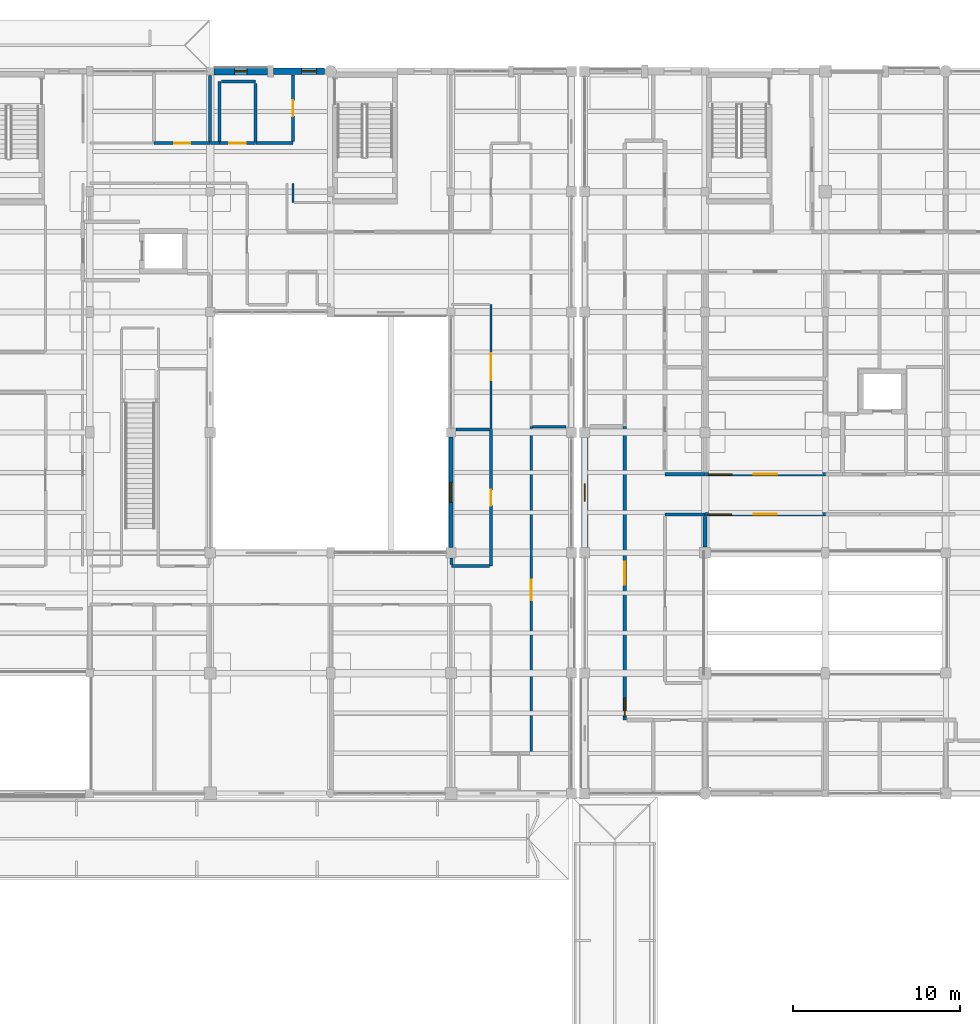
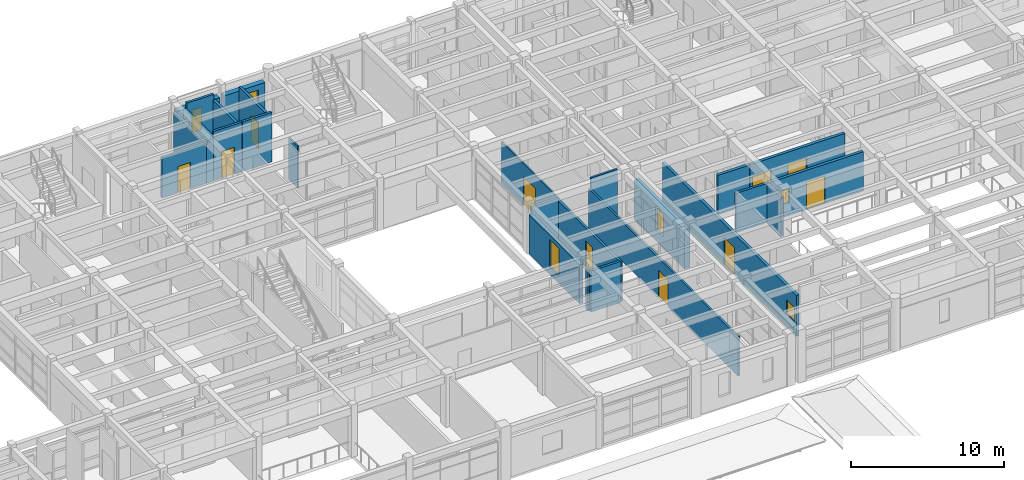
# One storey, part 89 of 110: 27 walls, 9 doors, 7 windows, 16 openings.
"""IFC4 building model written with IfcOpenShell, lengths in metres."""

from ifc_helpers import new_model, si_unit, direction, frame, frame_2d, origin, place, context, subcontext, project, spatial, rectangle, extrude, material, layer, layer_set, type_object, element, fill, save


model = new_model("IFC4")

# Units and contexts
model_context = context("Model", 3, precision=1e-05, world=origin(), true_north=direction((0.0, 1.0)))
body_context = subcontext(model_context, "Body", "Model", "MODEL_VIEW")
ifc_project = project(units=[si_unit("LENGTHUNIT", "METRE"), si_unit("AREAUNIT", "SQUARE_METRE"), si_unit("VOLUMEUNIT", "CUBIC_METRE"), si_unit("PLANEANGLEUNIT", "RADIAN"), si_unit("MASSUNIT", "GRAM", prefix="KILO")], contexts=[model_context])

# Site, building, storey
site_placement = place(None, origin())
site = spatial("IfcSite", under=ifc_project, at=site_placement, CompositionType="ELEMENT")
building_placement = place(site_placement, origin())
building = spatial("IfcBuilding", under=site, at=building_placement, Name="Steenspoor Specialist Clinic", CompositionType="ELEMENT")
storey_placement = place(building_placement, frame((0.0, 0.0, 4.800048828125)))
storey = spatial("IfcBuildingStorey", under=building, at=storey_placement, Name="L01", CompositionType="ELEMENT", Elevation=4.800048828125)

# Wall, opening, window
ifc_material_1 = material(Name="Extruded clay brick masonry", Category="masonry")
ifc_layer_1 = layer(ifc_material_1, 0.409912109375)
ifc_layer_set_1 = layer_set([ifc_layer_1], Name="Extruded clay brick masonry")
wall_type_1 = type_object("IfcWallType", Name="W-BRICK-410", PredefinedType="USERDEFINED", material=ifc_layer_set_1)
wall_1_placement = place(storey_placement, frame((99.3701171875, 108.35009765625, 0.0), z_axis=(0.0, 0.0, 1.0), x_axis=(1.0, 0.0, 0.0)))
wall_1 = element("IfcWall", 1, at=wall_1_placement, inside=storey, type_object=wall_type_1, Name="Exterior Brick Wall EW-V4-L01-0124", ObjectType="CAVITY VENEER", PredefinedType="USERDEFINED", context=body_context, shape_type="SweptSolid", body=[
    extrude(rectangle(XDim=3.079833984375, YDim=0.409912109375, at=frame_2d((1.5400390625, 0.0))), origin(), (0.0, 0.0, 1.0), 3.1298828125),
])
opening_1_placement = place(wall_1_placement, frame((1.68994140625, 0.0, 0.89990234375)))
opening_1 = element("IfcOpeningElement", 2, at=opening_1_placement, cuts=wall_1, Name="Opening WN-03", PredefinedType="OPENING", context=body_context, shape_type="SweptSolid", body=[
    extrude(rectangle(XDim=0.89990234375, YDim=1.800048828125, at=frame_2d((0.449951171875, 0.89990234375))), frame((0.0, 0.21484375, 0.0), z_axis=(0.0, -1.0, 0.0), x_axis=(1.0, 0.0, 0.0)), (0.0, 0.0, 1.0), 0.429931640625),
])
ifc_material_2 = material(Name="Thermally broken aluminium and low-emissivity glass", Category="aluminium")
window_type_1 = type_object("IfcWindowType", Name="WN-EXT-090X180", PartitioningType="SINGLE_PANEL", PredefinedType="WINDOW", material=ifc_material_2)
window_1_placement = place(opening_1_placement, origin())
window_1 = element("IfcWindow", 3, at=window_1_placement, inside=storey, type_object=window_type_1, Name="Window 0146", OverallHeight=1.800048828125, OverallWidth=0.89990234375, PartitioningType="SINGLE_PANEL", PredefinedType="WINDOW", context=body_context, shape_type="SweptSolid", body=[
    extrude(rectangle(XDim=0.89990234375, YDim=1.800048828125, at=frame_2d((0.449951171875, 0.89990234375))), frame((0.0, 0.030029296875, 0.0), z_axis=(0.0, -1.0, 0.0), x_axis=(1.0, 0.0, 0.0)), (0.0, 0.0, 1.0), 0.06005859375),
])
fill(opening_1, window_1)

wall_2_placement = place(storey_placement, frame((118.0, 79.85009765625, 0.0), z_axis=(0.0, 0.0, 1.0), x_axis=(0.0, 1.0, 0.0)))
wall_2 = element("IfcWall", 4, at=wall_2_placement, inside=storey, type_object=wall_type_1, Name="Exterior Brick Wall EW-V6-L01-0316", ObjectType="CAVITY VENEER", PredefinedType="USERDEFINED", context=body_context, shape_type="SweptSolid", body=[
    extrude(rectangle(XDim=6.599853515625, YDim=0.409912109375, at=frame_2d((3.2998046875, 0.0))), origin(), (0.0, 0.0, 1.0), 3.1298828125),
])
opening_2_placement = place(wall_2_placement, frame((2.77490234375, 0.0, 0.89990234375)))
opening_2 = element("IfcOpeningElement", 5, at=opening_2_placement, cuts=wall_2, Name="Opening WN-04", PredefinedType="OPENING", context=body_context, shape_type="SweptSolid", body=[
    extrude(rectangle(XDim=1.050048828125, YDim=1.800048828125, at=frame_2d((0.52490234375, 0.89990234375))), frame((0.0, 0.21484375, 0.0), z_axis=(0.0, -1.0, 0.0), x_axis=(1.0, 0.0, 0.0)), (0.0, 0.0, 1.0), 0.429931640625),
])
window_type_2 = type_object("IfcWindowType", Name="WN-EXT-105X180", PartitioningType="SINGLE_PANEL", PredefinedType="WINDOW", material=ifc_material_2)
window_2_placement = place(opening_2_placement, origin())
window_2 = element("IfcWindow", 6, at=window_2_placement, inside=storey, type_object=window_type_2, Name="Window 0339", OverallHeight=1.800048828125, OverallWidth=1.050048828125, PartitioningType="SINGLE_PANEL", PredefinedType="WINDOW", context=body_context, shape_type="SweptSolid", body=[
    extrude(rectangle(XDim=1.050048828125, YDim=1.800048828125, at=frame_2d((0.52490234375, 0.89990234375))), frame((0.0, 0.030029296875, 0.0), z_axis=(0.0, -1.0, 0.0), x_axis=(1.0, 0.0, 0.0)), (0.0, 0.0, 1.0), 0.06005859375),
])
fill(opening_2, window_2)

ifc_layer_2 = layer(ifc_material_1, 0.43994140625)
ifc_layer_set_2 = layer_set([ifc_layer_2], Name="Extruded clay brick masonry")
wall_type_2 = type_object("IfcWallType", Name="W-BRICK-440", PredefinedType="USERDEFINED", material=ifc_layer_set_2)
wall_3_placement = place(storey_placement, frame((95.824951171875, 108.35009765625, 0.0), z_axis=(0.0, 0.0, 1.0), x_axis=(1.0, 0.0, 0.0)))
wall_3 = element("IfcWall", 7, at=wall_3_placement, inside=storey, type_object=wall_type_2, Name="Exterior Brick Wall EW-V4-L01-0123", ObjectType="CAVITY VENEER", PredefinedType="USERDEFINED", context=body_context, shape_type="SweptSolid", body=[
    extrude(rectangle(XDim=3.205078125, YDim=0.43994140625, at=frame_2d((1.6025390625, 0.0))), origin(), (0.0, 0.0, 1.0), 3.1298828125),
])
opening_3_placement = place(wall_3_placement, frame((1.2275390625, 0.0, 0.89990234375)))
opening_3 = element("IfcOpeningElement", 8, at=opening_3_placement, cuts=wall_3, Name="Opening WN-02", PredefinedType="OPENING", context=body_context, shape_type="SweptSolid", body=[
    extrude(rectangle(XDim=0.75, YDim=1.800048828125, at=frame_2d((0.375, 0.89990234375))), frame((0.0, 0.22998046875, 0.0), z_axis=(0.0, -1.0, 0.0), x_axis=(1.0, 0.0, 0.0)), (0.0, 0.0, 1.0), 0.4599609375),
])
window_type_3 = type_object("IfcWindowType", Name="WN-EXT-075X180", PartitioningType="SINGLE_PANEL", PredefinedType="WINDOW", material=ifc_material_2)
window_3_placement = place(opening_3_placement, origin())
window_3 = element("IfcWindow", 9, at=window_3_placement, inside=storey, type_object=window_type_3, Name="Window 0145", OverallHeight=1.800048828125, OverallWidth=0.75, PartitioningType="SINGLE_PANEL", PredefinedType="WINDOW", context=body_context, shape_type="SweptSolid", body=[
    extrude(rectangle(XDim=0.75, YDim=1.800048828125, at=frame_2d((0.375, 0.89990234375))), frame((0.0, 0.030029296875, 0.0), z_axis=(0.0, -1.0, 0.0), x_axis=(1.0, 0.0, 0.0)), (0.0, 0.0, 1.0), 0.06005859375),
])
fill(opening_3, window_3)

# Wall, opening, door
ifc_material_3 = material(Name="Gypsum acoustic clinical partition", Category="gypsum")
ifc_layer_3 = layer(ifc_material_3, 0.14990234375)
ifc_layer_set_3 = layer_set([ifc_layer_3], Name="Gypsum acoustic clinical partition")
wall_type_3 = type_object("IfcWallType", Name="W-CLIN-150", PredefinedType="PARTITIONING", material=ifc_layer_set_3)
wall_4_placement = place(storey_placement, frame((114.800048828125, 67.550048828125, 0.0), z_axis=(0.0, 0.0, 1.0), x_axis=(0.0, 1.0, 0.0)))
wall_4 = element("IfcWall", 10, at=wall_4_placement, inside=storey, type_object=wall_type_3, Name="Interior Partition IW-V4-L01-0888", PredefinedType="PARTITIONING", context=body_context, shape_type="SweptSolid", body=[
    extrude(rectangle(XDim=19.550048828125, YDim=0.14990234375, at=frame_2d((9.77490234375, 0.0))), origin(), (0.0, 0.0, 1.0), 3.135009765625),
])
opening_4_placement = place(wall_4_placement, frame((9.14990234375, 0.0, 0.0)))
opening_4 = element("IfcOpeningElement", 11, at=opening_4_placement, cuts=wall_4, Name="Opening D0200", PredefinedType="OPENING", context=body_context, shape_type="SweptSolid", body=[
    extrude(rectangle(XDim=1.25, YDim=2.14990234375, at=frame_2d((0.625, 1.074951171875))), frame((0.0, 0.0849609375, 0.0), z_axis=(0.0, -1.0, 0.0), x_axis=(1.0, 0.0, 0.0)), (0.0, 0.0, 1.0), 0.169921875),
])
ifc_material_4 = material(Name="Hygienic HPL clinical timber door", Category="wood")
door_type_1 = type_object("IfcDoorType", Name="DT-EXAM-125X215", OperationType="NOTDEFINED", PredefinedType="DOOR", material=ifc_material_4)
door_1_placement = place(opening_4_placement, origin())
door_1 = element("IfcDoor", 12, at=door_1_placement, inside=storey, type_object=door_type_1, Name="Clinical Door D0200", OperationType="SINGLE_SWING_LEFT", OverallHeight=2.14990234375, OverallWidth=1.25, PredefinedType="DOOR", context=body_context, shape_type="SweptSolid", body=[
    extrude(rectangle(XDim=1.25, YDim=2.14990234375, at=frame_2d((0.625, 1.074951171875))), frame((0.0, 0.02490234375, 0.0), z_axis=(0.0, -1.0, 0.0), x_axis=(1.0, 0.0, 0.0)), (0.0, 0.0, 1.0), 0.050048828125),
])
fill(opening_4, door_1)

# Wall
wall_5_placement = place(storey_placement, frame((114.889892578125, 87.10009765625, 0.0), z_axis=(0.0, 0.0, 1.0), x_axis=(1.0, 0.0, 0.0)))
element("IfcWall", 13, at=wall_5_placement, inside=storey, type_object=wall_type_3, Name="Interior Partition IW-V4-L01-1193", PredefinedType="PARTITIONING", context=body_context, shape_type="SweptSolid", body=[
    extrude(rectangle(XDim=1.9951171875, YDim=0.14990234375, at=frame_2d((0.99755859375, 0.0))), origin(), (0.0, 0.0, 1.0), 3.949951171875),
])

# Wall, openings, door, window
ifc_material_5 = material(Name="Fire-rated clay blockwork masonry", Category="masonry")
ifc_layer_4 = layer(ifc_material_5, 0.219970703125)
ifc_layer_set_4 = layer_set([ifc_layer_4], Name="Fire-rated clay blockwork masonry")
wall_type_4 = type_object("IfcWallType", Name="W-FIRE-220", PredefinedType="PARTITIONING", material=ifc_layer_set_4)
wall_6_placement = place(storey_placement, frame((120.39990234375, 69.550048828125, 0.0), z_axis=(0.0, 0.0, 1.0), x_axis=(0.0, 1.0, 0.0)))
wall_6 = element("IfcWall", 14, at=wall_6_placement, inside=storey, type_object=wall_type_4, Name="Interior Partition IW-V6-L01-0698", PredefinedType="PARTITIONING", context=body_context, shape_type="SweptSolid", body=[
    extrude(rectangle(XDim=17.550048828125, YDim=0.219970703125, at=frame_2d((8.77490234375, 0.0))), origin(), (0.0, 0.0, 1.0), 3.284912109375),
])
opening_5_placement = place(wall_6_placement, frame((8.074951171875, 0.0, 0.0)))
opening_5 = element("IfcOpeningElement", 15, at=opening_5_placement, cuts=wall_6, Name="Opening D0427", PredefinedType="OPENING", context=body_context, shape_type="SweptSolid", body=[
    extrude(rectangle(XDim=1.39990234375, YDim=2.199951171875, at=frame_2d((0.699951171875, 1.10009765625))), frame((0.0, 0.1201171875, 0.0), z_axis=(0.0, -1.0, 0.0), x_axis=(1.0, 0.0, 0.0)), (0.0, 0.0, 1.0), 0.239990234375),
])
opening_6_placement = place(wall_6_placement, frame((0.199951171875, 0.0, 1.050048828125)))
opening_6 = element("IfcOpeningElement", 16, at=opening_6_placement, cuts=wall_6, Name="Opening IWN-02", PredefinedType="OPENING", context=body_context, shape_type="SweptSolid", body=[
    extrude(rectangle(XDim=1.10009765625, YDim=1.10009765625, at=frame_2d((0.550048828125, 0.550048828125))), frame((0.0, 0.1201171875, 0.0), z_axis=(0.0, -1.0, 0.0), x_axis=(1.0, 0.0, 0.0)), (0.0, 0.0, 1.0), 0.239990234375),
])
ifc_material_6 = material(Name="Fire-rated clinical laminate door", Category="steel")
door_type_2 = type_object("IfcDoorType", Name="DT-LAB-140X220", OperationType="NOTDEFINED", PredefinedType="DOOR", material=ifc_material_6)
door_2_placement = place(opening_5_placement, origin())
door_2 = element("IfcDoor", 17, at=door_2_placement, inside=storey, type_object=door_type_2, Name="Clinical Door D0427", OperationType="SINGLE_SWING_RIGHT", OverallHeight=2.199951171875, OverallWidth=1.39990234375, PredefinedType="DOOR", context=body_context, shape_type="SweptSolid", body=[
    extrude(rectangle(XDim=1.39990234375, YDim=2.199951171875, at=frame_2d((0.699951171875, 1.10009765625))), frame((0.0, 0.02490234375, 0.0), z_axis=(0.0, -1.0, 0.0), x_axis=(1.0, 0.0, 0.0)), (0.0, 0.0, 1.0), 0.050048828125),
])
fill(opening_5, door_2)
window_type_4 = type_object("IfcWindowType", Name="IWND-OBS-110X110", PartitioningType="SINGLE_PANEL", PredefinedType="WINDOW", material=ifc_material_2)
window_4_placement = place(opening_6_placement, origin())
window_4 = element("IfcWindow", 18, at=window_4_placement, inside=storey, type_object=window_type_4, Name="Observation Window 010", OverallHeight=1.10009765625, OverallWidth=1.10009765625, PartitioningType="SINGLE_PANEL", PredefinedType="WINDOW", context=body_context, shape_type="SweptSolid", body=[
    extrude(rectangle(XDim=1.10009765625, YDim=1.10009765625, at=frame_2d((0.550048828125, 0.550048828125))), frame((0.0, 0.030029296875, 0.0), z_axis=(0.0, -1.0, 0.0), x_axis=(1.0, 0.0, 0.0)), (0.0, 0.0, 1.0), 0.06005859375),
])
fill(opening_6, window_4)

wall_7_placement = place(storey_placement, frame((125.199951171875, 81.85009765625, 0.0), z_axis=(0.0, 0.0, 1.0), x_axis=(1.0, 0.0, 0.0)))
wall_7 = element("IfcWall", 19, at=wall_7_placement, inside=storey, type_object=wall_type_4, Name="Interior Partition IW-V6-L01-0710", PredefinedType="PARTITIONING", context=body_context, shape_type="SweptSolid", body=[
    extrude(rectangle(XDim=7.199951171875, YDim=0.219970703125, at=frame_2d((3.60009765625, 0.0))), origin(), (0.0, 0.0, 1.0), 3.135009765625),
])
opening_7_placement = place(wall_7_placement, frame((2.89990234375, 0.0, 0.0)))
opening_7 = element("IfcOpeningElement", 20, at=opening_7_placement, cuts=wall_7, Name="Opening D0437", PredefinedType="OPENING", context=body_context, shape_type="SweptSolid", body=[
    extrude(rectangle(XDim=1.39990234375, YDim=2.199951171875, at=frame_2d((0.699951171875, 1.10009765625))), frame((0.0, 0.1201171875, 0.0), z_axis=(0.0, -1.0, 0.0), x_axis=(1.0, 0.0, 0.0)), (0.0, 0.0, 1.0), 0.239990234375),
])
opening_8_placement = place(wall_7_placement, frame((0.199951171875, 0.0, 1.050048828125)))
opening_8 = element("IfcOpeningElement", 21, at=opening_8_placement, cuts=wall_7, Name="Opening IWN-01", PredefinedType="OPENING", context=body_context, shape_type="SweptSolid", body=[
    extrude(rectangle(XDim=1.39990234375, YDim=1.10009765625, at=frame_2d((0.699951171875, 0.550048828125))), frame((0.0, 0.1201171875, 0.0), z_axis=(0.0, -1.0, 0.0), x_axis=(1.0, 0.0, 0.0)), (0.0, 0.0, 1.0), 0.239990234375),
])
door_3_placement = place(opening_7_placement, origin())
door_3 = element("IfcDoor", 22, at=door_3_placement, inside=storey, type_object=door_type_2, Name="Clinical Door D0437", OperationType="SINGLE_SWING_RIGHT", OverallHeight=2.199951171875, OverallWidth=1.39990234375, PredefinedType="DOOR", context=body_context, shape_type="SweptSolid", body=[
    extrude(rectangle(XDim=1.39990234375, YDim=2.199951171875, at=frame_2d((0.699951171875, 1.10009765625))), frame((0.0, 0.02490234375, 0.0), z_axis=(0.0, -1.0, 0.0), x_axis=(1.0, 0.0, 0.0)), (0.0, 0.0, 1.0), 0.050048828125),
])
fill(opening_7, door_3)
window_type_5 = type_object("IfcWindowType", Name="IWND-OBS-140X110", PartitioningType="SINGLE_PANEL", PredefinedType="WINDOW", material=ifc_material_2)
window_5_placement = place(opening_8_placement, origin())
window_5 = element("IfcWindow", 23, at=window_5_placement, inside=storey, type_object=window_type_5, Name="Observation Window 013", OverallHeight=1.10009765625, OverallWidth=1.39990234375, PartitioningType="SINGLE_PANEL", PredefinedType="WINDOW", context=body_context, shape_type="SweptSolid", body=[
    extrude(rectangle(XDim=1.39990234375, YDim=1.10009765625, at=frame_2d((0.699951171875, 0.550048828125))), frame((0.0, 0.030029296875, 0.0), z_axis=(0.0, -1.0, 0.0), x_axis=(1.0, 0.0, 0.0)), (0.0, 0.0, 1.0), 0.06005859375),
])
fill(opening_8, window_5)

# Wall
wall_8_placement = place(storey_placement, frame((122.800048828125, 84.25, 0.0), z_axis=(0.0, 0.0, 1.0), x_axis=(1.0, 0.0, 0.0)))
element("IfcWall", 24, at=wall_8_placement, inside=storey, type_object=wall_type_4, Name="Interior Partition IW-V6-L01-0714", PredefinedType="PARTITIONING", context=body_context, shape_type="SweptSolid", body=[
    extrude(rectangle(XDim=2.39990234375, YDim=0.219970703125, at=frame_2d((1.199951171875, 0.0))), origin(), (0.0, 0.0, 1.0), 3.135009765625),
])

# Wall, openings, door, window
wall_9_placement = place(storey_placement, frame((125.215087890625, 84.25, 0.0), z_axis=(0.0, 0.0, 1.0), x_axis=(1.0, 0.0, 0.0)))
wall_9 = element("IfcWall", 25, at=wall_9_placement, inside=storey, type_object=wall_type_4, Name="Interior Partition IW-V6-L01-0716", PredefinedType="PARTITIONING", context=body_context, shape_type="SweptSolid", body=[
    extrude(rectangle(XDim=7.184814453125, YDim=0.219970703125, at=frame_2d((3.59228515625, 0.0))), origin(), (0.0, 0.0, 1.0), 3.135009765625),
])
opening_9_placement = place(wall_9_placement, frame((2.892578125, 0.0, 0.0)))
opening_9 = element("IfcOpeningElement", 26, at=opening_9_placement, cuts=wall_9, Name="Opening D0440", PredefinedType="OPENING", context=body_context, shape_type="SweptSolid", body=[
    extrude(rectangle(XDim=1.39990234375, YDim=2.199951171875, at=frame_2d((0.699951171875, 1.10009765625))), frame((0.0, 0.1201171875, 0.0), z_axis=(0.0, -1.0, 0.0), x_axis=(1.0, 0.0, 0.0)), (0.0, 0.0, 1.0), 0.239990234375),
])
opening_10_placement = place(wall_9_placement, frame((0.199951171875, 0.0, 1.050048828125)))
opening_10 = element("IfcOpeningElement", 27, at=opening_10_placement, cuts=wall_9, Name="Opening IWN-01", PredefinedType="OPENING", context=body_context, shape_type="SweptSolid", body=[
    extrude(rectangle(XDim=1.39990234375, YDim=1.10009765625, at=frame_2d((0.699951171875, 0.550048828125))), frame((0.0, 0.1201171875, 0.0), z_axis=(0.0, -1.0, 0.0), x_axis=(1.0, 0.0, 0.0)), (0.0, 0.0, 1.0), 0.239990234375),
])
door_4_placement = place(opening_9_placement, origin())
door_4 = element("IfcDoor", 28, at=door_4_placement, inside=storey, type_object=door_type_2, Name="Clinical Door D0440", OperationType="SINGLE_SWING_LEFT", OverallHeight=2.199951171875, OverallWidth=1.39990234375, PredefinedType="DOOR", context=body_context, shape_type="SweptSolid", body=[
    extrude(rectangle(XDim=1.39990234375, YDim=2.199951171875, at=frame_2d((0.699951171875, 1.10009765625))), frame((0.0, 0.02490234375, 0.0), z_axis=(0.0, -1.0, 0.0), x_axis=(1.0, 0.0, 0.0)), (0.0, 0.0, 1.0), 0.050048828125),
])
fill(opening_9, door_4)
window_6_placement = place(opening_10_placement, origin())
window_6 = element("IfcWindow", 29, at=window_6_placement, inside=storey, type_object=window_type_5, Name="Observation Window 015", OverallHeight=1.10009765625, OverallWidth=1.39990234375, PartitioningType="SINGLE_PANEL", PredefinedType="WINDOW", context=body_context, shape_type="SweptSolid", body=[
    extrude(rectangle(XDim=1.39990234375, YDim=1.10009765625, at=frame_2d((0.699951171875, 0.550048828125))), frame((0.0, 0.030029296875, 0.0), z_axis=(0.0, -1.0, 0.0), x_axis=(1.0, 0.0, 0.0)), (0.0, 0.0, 1.0), 0.06005859375),
])
fill(opening_10, window_6)

# Wall
wall_10_placement = place(storey_placement, frame((125.199951171875, 79.889892578125, 0.0), z_axis=(0.0, 0.0, 1.0), x_axis=(0.0, 1.0, 0.0)))
element("IfcWall", 30, at=wall_10_placement, inside=storey, type_object=wall_type_4, Name="Interior Partition IW-V6-L01-1052", PredefinedType="PARTITIONING", context=body_context, shape_type="SweptSolid", body=[
    extrude(rectangle(XDim=1.835205078125, YDim=0.219970703125, at=frame_2d((0.91748046875, 0.0))), origin(), (0.0, 0.0, 1.0), 3.135009765625),
])

# Wall, opening, door
ifc_material_7 = material(Name="Gypsum studio partition board", Category="gypsum")
ifc_layer_5 = layer(ifc_material_7, 0.1201171875)
ifc_layer_set_5 = layer_set([ifc_layer_5], Name="Gypsum studio partition board")
wall_type_5 = type_object("IfcWallType", Name="W-PART-120", PredefinedType="PARTITIONING", material=ifc_layer_set_5)
wall_11_placement = place(storey_placement, frame((112.39990234375, 86.93994140625, 0.0), z_axis=(0.0, 0.0, 1.0), x_axis=(0.0, 1.0, 0.0)))
wall_11 = element("IfcWall", 31, at=wall_11_placement, inside=storey, type_object=wall_type_5, Name="Interior Partition IW-V4-L01-0996", PredefinedType="PARTITIONING", context=body_context, shape_type="SweptSolid", body=[
    extrude(rectangle(XDim=7.4599609375, YDim=0.1201171875, at=frame_2d((3.72998046875, 0.0))), origin(), (0.0, 0.0, 1.0), 3.284912109375),
])
opening_11_placement = place(wall_11_placement, frame((2.929931640625, 0.0, 0.0)))
opening_11 = element("IfcOpeningElement", 32, at=opening_11_placement, cuts=wall_11, Name="Opening D0211", PredefinedType="OPENING", context=body_context, shape_type="SweptSolid", body=[
    extrude(rectangle(XDim=1.60009765625, YDim=2.25, at=frame_2d((0.800048828125, 1.125))), frame((0.0, 0.070068359375, 0.0), z_axis=(0.0, -1.0, 0.0), x_axis=(1.0, 0.0, 0.0)), (0.0, 0.0, 1.0), 0.14013671875),
])
door_type_3 = type_object("IfcDoorType", Name="DT-PROC-160X225", OperationType="NOTDEFINED", PredefinedType="DOOR", material=ifc_material_4)
door_5_placement = place(opening_11_placement, origin())
door_5 = element("IfcDoor", 33, at=door_5_placement, inside=storey, type_object=door_type_3, Name="Clinical Door D0211", OperationType="SINGLE_SWING_RIGHT", OverallHeight=2.25, OverallWidth=1.60009765625, PredefinedType="DOOR", context=body_context, shape_type="SweptSolid", body=[
    extrude(rectangle(XDim=1.60009765625, YDim=2.25, at=frame_2d((0.800048828125, 1.125))), frame((0.0, 0.02490234375, 0.0), z_axis=(0.0, -1.0, 0.0), x_axis=(1.0, 0.0, 0.0)), (0.0, 0.0, 1.0), 0.050048828125),
])
fill(opening_11, door_5)

# Wall
wall_12_placement = place(storey_placement, frame((100.550048828125, 100.5, 0.0), z_axis=(0.0, 0.0, 1.0), x_axis=(0.0, 1.0, 0.0)))
element("IfcWall", 34, at=wall_12_placement, inside=storey, type_object=wall_type_5, Name="Interior Partition IW-V4-L01-1012", PredefinedType="PARTITIONING", context=body_context, shape_type="SweptSolid", body=[
    extrude(rectangle(XDim=1.14990234375, YDim=0.1201171875, at=frame_2d((0.574951171875, 0.0))), origin(), (0.0, 0.0, 1.0), 3.35498046875),
])

# Wall, opening, door
ifc_material_8 = material(Name="Moisture-resistant gypsum plumbing wall", Category="gypsum")
ifc_layer_6 = layer(ifc_material_8, 0.179931640625)
ifc_layer_set_6 = layer_set([ifc_layer_6], Name="Moisture-resistant gypsum plumbing wall")
wall_type_6 = type_object("IfcWallType", Name="W-PLUMB-180", PredefinedType="PLUMBINGWALL", material=ifc_layer_set_6)
wall_13_placement = place(storey_placement, frame((96.159912109375, 104.050048828125, 0.0), z_axis=(0.0, 0.0, 1.0), x_axis=(1.0, 0.0, 0.0)))
wall_13 = element("IfcWall", 35, at=wall_13_placement, inside=storey, type_object=wall_type_6, Name="Interior Partition IW-V4-L01-0678", PredefinedType="PLUMBINGWALL", context=body_context, shape_type="SweptSolid", body=[
    extrude(rectangle(XDim=2.150146484375, YDim=0.179931640625, at=frame_2d((1.0751953125, 0.0))), origin(), (0.0, 0.0, 1.0), 3.949951171875),
])
opening_12_placement = place(wall_13_placement, frame((0.574951171875, 0.0, 0.0)))
opening_12 = element("IfcOpeningElement", 36, at=opening_12_placement, cuts=wall_13, Name="Opening D0225", PredefinedType="OPENING", context=body_context, shape_type="SweptSolid", body=[
    extrude(rectangle(XDim=1.0, YDim=2.14990234375, at=frame_2d((0.5, 1.074951171875))), frame((0.0, 0.10009765625, 0.0), z_axis=(0.0, -1.0, 0.0), x_axis=(1.0, 0.0, 0.0)), (0.0, 0.0, 1.0), 0.199951171875),
])
ifc_material_9 = material(Name="Moisture-resistant HPL accessible WC door", Category="wood")
door_type_4 = type_object("IfcDoorType", Name="DT-AWC-100X215", OperationType="NOTDEFINED", PredefinedType="DOOR", material=ifc_material_9)
door_6_placement = place(opening_12_placement, origin())
door_6 = element("IfcDoor", 37, at=door_6_placement, inside=storey, type_object=door_type_4, Name="Clinical Door D0225", OperationType="SINGLE_SWING_RIGHT", OverallHeight=2.14990234375, OverallWidth=1.0, PredefinedType="DOOR", context=body_context, shape_type="SweptSolid", body=[
    extrude(rectangle(XDim=1.0, YDim=2.14990234375, at=frame_2d((0.5, 1.074951171875))), frame((0.0, 0.02490234375, 0.0), z_axis=(0.0, -1.0, 0.0), x_axis=(1.0, 0.0, 0.0)), (0.0, 0.0, 1.0), 0.050048828125),
])
fill(opening_12, door_6)

# Walls
wall_14_placement = place(storey_placement, frame((96.159912109375, 104.155029296875, 0.0), z_axis=(0.0, 0.0, 1.0), x_axis=(0.0, 1.0, 0.0)))
element("IfcWall", 38, at=wall_14_placement, inside=storey, type_object=wall_type_6, Name="Interior Partition IW-V4-L01-0693", PredefinedType="PLUMBINGWALL", context=body_context, shape_type="SweptSolid", body=[
    extrude(rectangle(XDim=3.574951171875, YDim=0.179931640625, at=frame_2d((1.78759765625, 0.0))), origin(), (0.0, 0.0, 1.0), 3.514892578125),
])
wall_15_placement = place(storey_placement, frame((96.264892578125, 107.72998046875, 0.0), z_axis=(0.0, 0.0, 1.0), x_axis=(1.0, 0.0, 0.0)))
element("IfcWall", 39, at=wall_15_placement, inside=storey, type_object=wall_type_6, Name="Interior Partition IW-V4-L01-0694", PredefinedType="PLUMBINGWALL", context=body_context, shape_type="SweptSolid", body=[
    extrude(rectangle(XDim=2.045166015625, YDim=0.179931640625, at=frame_2d((1.0224609375, 0.0))), origin(), (0.0, 0.0, 1.0), 3.949951171875),
])
wall_16_placement = place(storey_placement, frame((98.31005859375, 104.155029296875, 0.0), z_axis=(0.0, 0.0, 1.0), x_axis=(0.0, 1.0, 0.0)))
element("IfcWall", 40, at=wall_16_placement, inside=storey, type_object=wall_type_6, Name="Interior Partition IW-V4-L01-0695", PredefinedType="PLUMBINGWALL", context=body_context, shape_type="SweptSolid", body=[
    extrude(rectangle(XDim=3.469970703125, YDim=0.179931640625, at=frame_2d((1.73486328125, 0.0))), origin(), (0.0, 0.0, 1.0), 3.514892578125),
])

# Wall, opening, door
wall_17_placement = place(storey_placement, frame((112.39990234375, 78.75, 0.0), z_axis=(0.0, 0.0, 1.0), x_axis=(0.0, 1.0, 0.0)))
wall_17 = element("IfcWall", 41, at=wall_17_placement, inside=storey, type_object=wall_type_6, Name="Interior Partition IW-V4-L01-0763", PredefinedType="PLUMBINGWALL", context=body_context, shape_type="SweptSolid", body=[
    extrude(rectangle(XDim=8.175048828125, YDim=0.179931640625, at=frame_2d((4.08740234375, 0.0))), origin(), (0.0, 0.0, 1.0), 3.135009765625),
])
opening_13_placement = place(wall_17_placement, frame((3.612548828125, 0.0, 0.0)))
opening_13 = element("IfcOpeningElement", 42, at=opening_13_placement, cuts=wall_17, Name="Opening D0209", PredefinedType="OPENING", context=body_context, shape_type="SweptSolid", body=[
    extrude(rectangle(XDim=0.949951171875, YDim=2.10009765625, at=frame_2d((0.47509765625, 1.050048828125))), frame((0.0, 0.10009765625, 0.0), z_axis=(0.0, -1.0, 0.0), x_axis=(1.0, 0.0, 0.0)), (0.0, 0.0, 1.0), 0.199951171875),
])
ifc_material_10 = material(Name="Moisture-resistant HPL sanitary door", Category="wood")
door_type_5 = type_object("IfcDoorType", Name="DT-WC-095X210", OperationType="NOTDEFINED", PredefinedType="DOOR", material=ifc_material_10)
door_7_placement = place(opening_13_placement, origin())
door_7 = element("IfcDoor", 43, at=door_7_placement, inside=storey, type_object=door_type_5, Name="Clinical Door D0209", OperationType="SINGLE_SWING_RIGHT", OverallHeight=2.10009765625, OverallWidth=0.949951171875, PredefinedType="DOOR", context=body_context, shape_type="SweptSolid", body=[
    extrude(rectangle(XDim=0.949951171875, YDim=2.10009765625, at=frame_2d((0.47509765625, 1.050048828125))), frame((0.0, 0.02490234375, 0.0), z_axis=(0.0, -1.0, 0.0), x_axis=(1.0, 0.0, 0.0)), (0.0, 0.0, 1.0), 0.050048828125),
])
fill(opening_13, door_7)

# Wall
wall_18_placement = place(storey_placement, frame((110.0400390625, 78.75, 0.0), z_axis=(0.0, 0.0, 1.0), x_axis=(1.0, 0.0, 0.0)))
element("IfcWall", 44, at=wall_18_placement, inside=storey, type_object=wall_type_6, Name="Interior Partition IW-V4-L01-0764", PredefinedType="PLUMBINGWALL", context=body_context, shape_type="SweptSolid", body=[
    extrude(rectangle(XDim=2.2548828125, YDim=0.179931640625, at=frame_2d((1.12744140625, 0.0))), origin(), (0.0, 0.0, 1.0), 3.284912109375),
])

# Wall, opening, door
wall_19_placement = place(storey_placement, frame((92.25, 104.050048828125, 0.0), z_axis=(0.0, 0.0, 1.0), x_axis=(1.0, 0.0, 0.0)))
wall_19 = element("IfcWall", 45, at=wall_19_placement, inside=storey, type_object=wall_type_6, Name="Interior Partition IW-V4-L01-0770", PredefinedType="PLUMBINGWALL", context=body_context, shape_type="SweptSolid", body=[
    extrude(rectangle(XDim=3.35009765625, YDim=0.179931640625, at=frame_2d((1.675048828125, 0.0))), origin(), (0.0, 0.0, 1.0), 3.21484375),
])
opening_14_placement = place(wall_19_placement, frame((1.199951171875, 0.0, 0.0)))
opening_14 = element("IfcOpeningElement", 46, at=opening_14_placement, cuts=wall_19, Name="Opening D0224", PredefinedType="OPENING", context=body_context, shape_type="SweptSolid", body=[
    extrude(rectangle(XDim=0.949951171875, YDim=2.10009765625, at=frame_2d((0.47509765625, 1.050048828125))), frame((0.0, 0.10009765625, 0.0), z_axis=(0.0, -1.0, 0.0), x_axis=(1.0, 0.0, 0.0)), (0.0, 0.0, 1.0), 0.199951171875),
])
door_8_placement = place(opening_14_placement, origin())
door_8 = element("IfcDoor", 47, at=door_8_placement, inside=storey, type_object=door_type_5, Name="Clinical Door D0224", OperationType="SINGLE_SWING_LEFT", OverallHeight=2.10009765625, OverallWidth=0.949951171875, PredefinedType="DOOR", context=body_context, shape_type="SweptSolid", body=[
    extrude(rectangle(XDim=0.949951171875, YDim=2.10009765625, at=frame_2d((0.47509765625, 1.050048828125))), frame((0.0, 0.02490234375, 0.0), z_axis=(0.0, -1.0, 0.0), x_axis=(1.0, 0.0, 0.0)), (0.0, 0.0, 1.0), 0.050048828125),
])
fill(opening_14, door_8)

# Walls
wall_20_placement = place(storey_placement, frame((98.324951171875, 104.050048828125, 0.0), z_axis=(0.0, 0.0, 1.0), x_axis=(1.0, 0.0, 0.0)))
element("IfcWall", 48, at=wall_20_placement, inside=storey, type_object=wall_type_6, Name="Interior Partition IW-V4-L01-0771", PredefinedType="PLUMBINGWALL", context=body_context, shape_type="SweptSolid", body=[
    extrude(rectangle(XDim=2.22509765625, YDim=0.179931640625, at=frame_2d((1.112548828125, 0.0))), origin(), (0.0, 0.0, 1.0), 3.949951171875),
])
wall_21_placement = place(storey_placement, frame((95.614990234375, 104.050048828125, 0.0), z_axis=(0.0, 0.0, 1.0), x_axis=(1.0, 0.0, 0.0)))
element("IfcWall", 49, at=wall_21_placement, inside=storey, type_object=wall_type_6, Name="Interior Partition IW-V4-L01-0772", PredefinedType="PLUMBINGWALL", context=body_context, shape_type="SweptSolid", body=[
    extrude(rectangle(XDim=0.530029296875, YDim=0.179931640625, at=frame_2d((0.26513671875, 0.0))), origin(), (0.0, 0.0, 1.0), 3.21484375),
])

# Wall, opening, door
wall_22_placement = place(storey_placement, frame((100.550048828125, 104.155029296875, 0.0), z_axis=(0.0, 0.0, 1.0), x_axis=(0.0, 1.0, 0.0)))
wall_22 = element("IfcWall", 50, at=wall_22_placement, inside=storey, type_object=wall_type_6, Name="Interior Partition IW-V4-L01-0773", PredefinedType="PLUMBINGWALL", context=body_context, shape_type="SweptSolid", body=[
    extrude(rectangle(XDim=3.974853515625, YDim=0.179931640625, at=frame_2d((1.9873046875, 0.0))), origin(), (0.0, 0.0, 1.0), 3.514892578125),
])
opening_15_placement = place(wall_22_placement, frame((1.512451171875, 0.0, 0.0)))
opening_15 = element("IfcOpeningElement", 51, at=opening_15_placement, cuts=wall_22, Name="Opening D0226", PredefinedType="OPENING", context=body_context, shape_type="SweptSolid", body=[
    extrude(rectangle(XDim=0.949951171875, YDim=2.10009765625, at=frame_2d((0.47509765625, 1.050048828125))), frame((0.0, 0.10009765625, 0.0), z_axis=(0.0, -1.0, 0.0), x_axis=(1.0, 0.0, 0.0)), (0.0, 0.0, 1.0), 0.199951171875),
])
door_9_placement = place(opening_15_placement, origin())
door_9 = element("IfcDoor", 52, at=door_9_placement, inside=storey, type_object=door_type_5, Name="Clinical Door D0226", OperationType="SINGLE_SWING_LEFT", OverallHeight=2.10009765625, OverallWidth=0.949951171875, PredefinedType="DOOR", context=body_context, shape_type="SweptSolid", body=[
    extrude(rectangle(XDim=0.949951171875, YDim=2.10009765625, at=frame_2d((0.47509765625, 1.050048828125))), frame((0.0, 0.02490234375, 0.0), z_axis=(0.0, -1.0, 0.0), x_axis=(1.0, 0.0, 0.0)), (0.0, 0.0, 1.0), 0.050048828125),
])
fill(opening_15, door_9)

# Walls
wall_23_placement = place(storey_placement, frame((122.800048828125, 81.85009765625, 0.0), z_axis=(0.0, 0.0, 1.0), x_axis=(1.0, 0.0, 0.0)))
element("IfcWall", 53, at=wall_23_placement, inside=storey, type_object=wall_type_6, Name="Interior Partition IW-V6-L01-0786", PredefinedType="PLUMBINGWALL", context=body_context, shape_type="SweptSolid", body=[
    extrude(rectangle(XDim=2.385009765625, YDim=0.179931640625, at=frame_2d((1.1923828125, 0.0))), origin(), (0.0, 0.0, 1.0), 3.135009765625),
])
wall_24_placement = place(storey_placement, frame((110.2900390625, 86.925048828125, 0.0), z_axis=(0.0, 0.0, 1.0), x_axis=(1.0, 0.0, 0.0)))
element("IfcWall", 54, at=wall_24_placement, inside=storey, type_object=wall_type_6, Name="Interior Partition IW-V4-L01-1096", PredefinedType="PLUMBINGWALL", context=body_context, shape_type="SweptSolid", body=[
    extrude(rectangle(XDim=2.0048828125, YDim=0.179931640625, at=frame_2d((1.00244140625, 0.0))), origin(), (0.0, 0.0, 1.0), 3.35498046875),
])
wall_25_placement = place(storey_placement, frame((110.0400390625, 78.85498046875, 0.0), z_axis=(0.0, 0.0, 1.0), x_axis=(0.0, 1.0, 0.0)))
element("IfcWall", 55, at=wall_25_placement, inside=storey, type_object=wall_type_6, Name="Interior Partition IW-V4-L01-1097", PredefinedType="PLUMBINGWALL", context=body_context, shape_type="SweptSolid", body=[
    extrude(rectangle(XDim=0.380126953125, YDim=0.179931640625, at=frame_2d((0.18994140625, 0.0))), origin(), (0.0, 0.0, 1.0), 3.284912109375),
])
wall_26_placement = place(storey_placement, frame((95.60009765625, 104.155029296875, 0.0), z_axis=(0.0, 0.0, 1.0), x_axis=(0.0, 1.0, 0.0)))
element("IfcWall", 56, at=wall_26_placement, inside=storey, type_object=wall_type_6, Name="Interior Partition IW-V4-L01-1102", PredefinedType="PLUMBINGWALL", context=body_context, shape_type="SweptSolid", body=[
    extrude(rectangle(XDim=3.955078125, YDim=0.179931640625, at=frame_2d((1.9775390625, 0.0))), origin(), (0.0, 0.0, 1.0), 3.21484375),
])

# Wall, opening, window
ifc_layer_7 = layer(ifc_material_1, 0.260009765625)
ifc_layer_set_7 = layer_set([ifc_layer_7], Name="Extruded clay brick masonry")
wall_type_7 = type_object("IfcWallType", Name="W-SCREEN-260", PredefinedType="SOLIDWALL", material=ifc_layer_set_7)
wall_27_placement = place(storey_placement, frame((110.0, 79.85009765625, 0.0), z_axis=(0.0, 0.0, 1.0), x_axis=(0.0, 1.0, 0.0)))
wall_27 = element("IfcWall", 57, at=wall_27_placement, inside=storey, type_object=wall_type_7, Name="Exterior Brick Wall EW-V4-L01-0134", PredefinedType="SOLIDWALL", context=body_context, shape_type="SweptSolid", body=[
    extrude(rectangle(XDim=6.625, YDim=0.260009765625, at=frame_2d((3.3125, 0.0))), origin(), (0.0, 0.0, 1.0), 3.1298828125),
])
opening_16_placement = place(wall_27_placement, frame((2.71240234375, 0.0, 0.60009765625)))
opening_16 = element("IfcOpeningElement", 58, at=opening_16_placement, cuts=wall_27, Name="Opening WN-15", PredefinedType="OPENING", context=body_context, shape_type="SweptSolid", body=[
    extrude(rectangle(XDim=1.199951171875, YDim=2.199951171875, at=frame_2d((0.60009765625, 1.10009765625))), frame((0.0, 0.14013671875, 0.0), z_axis=(0.0, -1.0, 0.0), x_axis=(1.0, 0.0, 0.0)), (0.0, 0.0, 1.0), 0.280029296875),
])
window_type_6 = type_object("IfcWindowType", Name="WN-EXT-120X220", PartitioningType="SINGLE_PANEL", PredefinedType="WINDOW", material=ifc_material_2)
window_7_placement = place(opening_16_placement, origin())
window_7 = element("IfcWindow", 59, at=window_7_placement, inside=storey, type_object=window_type_6, Name="Window 0158", OverallHeight=2.199951171875, OverallWidth=1.199951171875, PartitioningType="SINGLE_PANEL", PredefinedType="WINDOW", context=body_context, shape_type="SweptSolid", body=[
    extrude(rectangle(XDim=1.199951171875, YDim=2.199951171875, at=frame_2d((0.60009765625, 1.10009765625))), frame((0.0, 0.030029296875, 0.0), z_axis=(0.0, -1.0, 0.0), x_axis=(1.0, 0.0, 0.0)), (0.0, 0.0, 1.0), 0.06005859375),
])
fill(opening_16, window_7)

save(model, "model.ifc")
